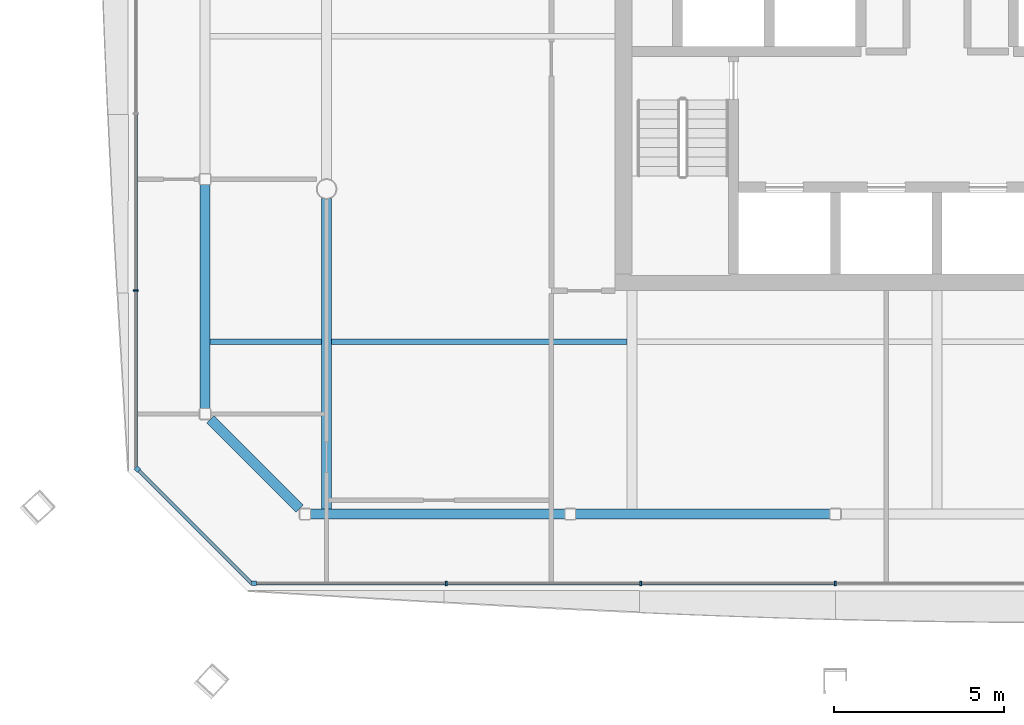
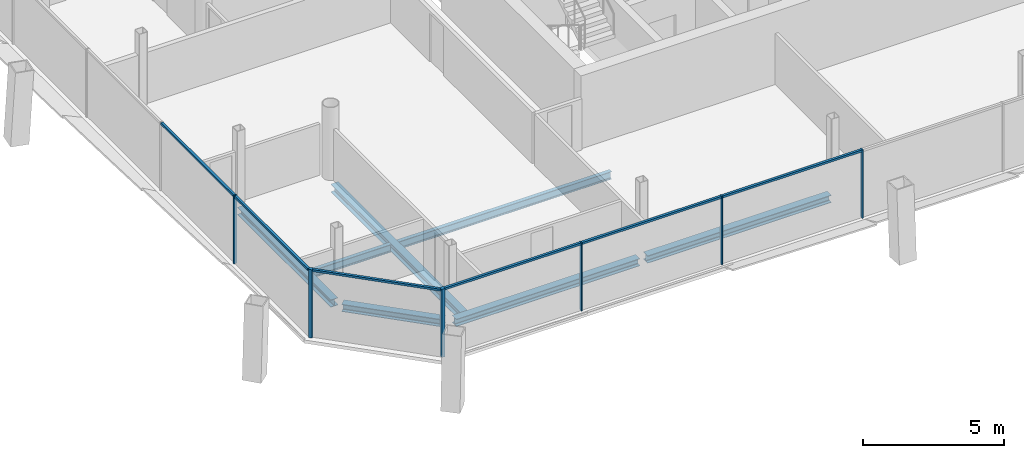
# One storey, part 4 of 20: 12 members, 7 beams, 3 elements without a shape of their own.
"""IFC4 building model written with IfcOpenShell, lengths in metres."""

from ifc_helpers import new_model, si_unit, direction, frame, origin, origin_2d, place, context, subcontext, project, spatial, rectangle, i_section, extrude, material, material_profile, profile_set, type_object, element, aggregate, save


model = new_model("IFC4")

# Units and contexts
model_context = context("Model", 3, precision=1e-05, world=origin(), true_north=direction((0.0, 1.0)))
body_context = subcontext(model_context, "Body", "Model", "MODEL_VIEW")
ifc_project = project(units=[si_unit("LENGTHUNIT", "METRE"), si_unit("AREAUNIT", "SQUARE_METRE"), si_unit("VOLUMEUNIT", "CUBIC_METRE"), si_unit("PLANEANGLEUNIT", "RADIAN"), si_unit("MASSUNIT", "GRAM", prefix="KILO")], contexts=[model_context])

# Site, building, storey
site_placement = place(None, origin())
site = spatial("IfcSite", under=ifc_project, at=site_placement, CompositionType="ELEMENT")
building_placement = place(site_placement, origin())
building = spatial("IfcBuilding", under=site, at=building_placement, Name="Tskaro Facet Tower", CompositionType="ELEMENT")
storey_placement = place(building_placement, frame((0.0, 0.0, 184.800048828125)))
storey = spatial("IfcBuildingStorey", under=building, at=storey_placement, Name="L46", CompositionType="ELEMENT", Elevation=184.800048828125)

# Curtain wall, member
ifc_material_1 = material(Name="Bronze anodised aluminium 6063-T6", Category="aluminium")
curtain_wall_type = type_object("IfcCurtainWallType", Name="Bronze residence curtain wall (FW3)", PredefinedType="NOTDEFINED", material=ifc_material_1)
curtain_wall_1_placement = place(storey_placement, origin())
curtain_wall_1 = element("IfcCurtainWall", 1, at=curtain_wall_1_placement, inside=storey, type_object=curtain_wall_type, Name="FW3 south facet L46", PredefinedType="NOTDEFINED")
ifc_material_profile_1 = material_profile(ifc_material_1, rectangle(XDim=0.139892578125, YDim=0.139892578125, at=origin_2d()), Name="Corner post 140x140")
ifc_profile_set_1 = profile_set([ifc_material_profile_1], Name="Bronze anodised aluminium 6063-T6")
member_type_1 = type_object("IfcMemberType", Name="FW3 bronze corner post 140x140", PredefinedType="MULLION", material=ifc_profile_set_1)
member_1_placement = place(storey_placement, frame((-20.138916015625, -20.6279296875, 0.0), z_axis=(0.0, 0.0, 1.0), x_axis=(1.0, 0.0, 0.0)))
member_1 = element("IfcMember", 2, at=member_1_placement, type_object=member_type_1, Name="FW3 south corner post", PredefinedType="MULLION", context=body_context, shape_type="SweptSolid", body=[
    extrude(rectangle(XDim=0.139892578125, YDim=0.139892578125, at=origin_2d()), origin(), (0.0, 0.0, 1.0), 2.949951171875),
])

curtain_wall_2_placement = place(storey_placement, origin())
curtain_wall_2 = element("IfcCurtainWall", 3, at=curtain_wall_2_placement, inside=storey, type_object=curtain_wall_type, Name="FW3 south-west facet L46", PredefinedType="NOTDEFINED")
member_2_placement = place(storey_placement, frame((-23.57861328125, -17.258544921875, 0.0), z_axis=(0.0, 0.0, 1.0), x_axis=(0.707106781187, -0.707106781187, 0.0)))
member_2 = element("IfcMember", 4, at=member_2_placement, type_object=member_type_1, Name="FW3 south-west corner post", PredefinedType="MULLION", context=body_context, shape_type="SweptSolid", body=[
    extrude(rectangle(XDim=0.139892578125, YDim=0.139892578125, at=origin_2d()), origin(), (0.0, 0.0, 1.0), 2.949951171875),
])

# Member
ifc_material_profile_2 = material_profile(ifc_material_1, rectangle(XDim=0.050048828125, YDim=0.139892578125, at=origin_2d()), Name="Mullion 50x140")
ifc_profile_set_2 = profile_set([ifc_material_profile_2], Name="Bronze anodised aluminium 6063-T6")
member_type_2 = type_object("IfcMemberType", Name="FW3 bronze mullion 50x140", PredefinedType="MULLION", material=ifc_profile_set_2)
member_3_placement = place(storey_placement, frame((-14.47265625, -20.6279296875, 0.0), z_axis=(0.0, 0.0, 1.0), x_axis=(1.0, 0.0, 0.0)))
member_3 = element("IfcMember", 5, at=member_3_placement, type_object=member_type_2, Name="FW3 south mullion 1", PredefinedType="MULLION", context=body_context, shape_type="SweptSolid", body=[
    extrude(rectangle(XDim=0.050048828125, YDim=0.139892578125, at=origin_2d()), origin(), (0.0, 0.0, 1.0), 2.949951171875),
])

member_4_placement = place(storey_placement, frame((-8.736328125, -20.6279296875, 0.0), z_axis=(0.0, 0.0, 1.0), x_axis=(1.0, 0.0, 0.0)))
member_4 = element("IfcMember", 6, at=member_4_placement, type_object=member_type_2, Name="FW3 south mullion 2", PredefinedType="MULLION", context=body_context, shape_type="SweptSolid", body=[
    extrude(rectangle(XDim=0.050048828125, YDim=0.139892578125, at=origin_2d()), origin(), (0.0, 0.0, 1.0), 2.949951171875),
])

member_5_placement = place(storey_placement, frame((-3.0, -20.6279296875, 0.0), z_axis=(0.0, 0.0, 1.0), x_axis=(1.0, 0.0, 0.0)))
member_5 = element("IfcMember", 7, at=member_5_placement, type_object=member_type_2, Name="FW3 south mullion 3", PredefinedType="MULLION", context=body_context, shape_type="SweptSolid", body=[
    extrude(rectangle(XDim=0.050048828125, YDim=0.139892578125, at=origin_2d()), origin(), (0.0, 0.0, 1.0), 2.949951171875),
])

# Curtain wall, member
curtain_wall_3_placement = place(storey_placement, origin())
curtain_wall_3 = element("IfcCurtainWall", 8, at=curtain_wall_3_placement, inside=storey, type_object=curtain_wall_type, Name="FW3 west facet L46", PredefinedType="NOTDEFINED")
member_6_placement = place(storey_placement, frame((-23.6279296875, -11.99072265625, 0.0), z_axis=(0.0, 0.0, 1.0), x_axis=(0.0, -1.0, 0.0)))
member_6 = element("IfcMember", 9, at=member_6_placement, type_object=member_type_2, Name="FW3 west mullion 5", PredefinedType="MULLION", context=body_context, shape_type="SweptSolid", body=[
    extrude(rectangle(XDim=0.050048828125, YDim=0.139892578125, at=origin_2d()), origin(), (0.0, 0.0, 1.0), 2.949951171875),
])

# Member
ifc_material_profile_3 = material_profile(ifc_material_1, rectangle(XDim=0.10009765625, YDim=0.090087890625, at=origin_2d()), Name="Transom 100x90")
ifc_profile_set_3 = profile_set([ifc_material_profile_3], Name="Bronze anodised aluminium 6063-T6")
member_type_3 = type_object("IfcMemberType", Name="FW3 bronze transom 100x90", PredefinedType="USERDEFINED", material=ifc_profile_set_3)
member_7_placement = place(storey_placement, frame((-20.069091796875, -20.6279296875, 2.905029296875), z_axis=(1.0, 0.0, 0.0), x_axis=(0.0, 1.0, 0.0)))
member_7 = element("IfcMember", 10, at=member_7_placement, type_object=member_type_3, Name="FW3 south transom 1.1", ObjectType="TRANSOM", PredefinedType="USERDEFINED", context=body_context, shape_type="SweptSolid", body=[
    extrude(rectangle(XDim=0.10009765625, YDim=0.090087890625, at=origin_2d()), origin(), (0.0, 0.0, 1.0), 5.571533203125),
])

member_8_placement = place(storey_placement, frame((-14.44775390625, -20.6279296875, 2.905029296875), z_axis=(1.0, 0.0, 0.0), x_axis=(0.0, 1.0, 0.0)))
member_8 = element("IfcMember", 11, at=member_8_placement, type_object=member_type_3, Name="FW3 south transom 2.1", ObjectType="TRANSOM", PredefinedType="USERDEFINED", context=body_context, shape_type="SweptSolid", body=[
    extrude(rectangle(XDim=0.10009765625, YDim=0.090087890625, at=origin_2d()), origin(), (0.0, 0.0, 1.0), 5.6865234375),
])

member_9_placement = place(storey_placement, frame((-8.71142578125, -20.6279296875, 2.905029296875), z_axis=(1.0, 0.0, 0.0), x_axis=(0.0, 1.0, 0.0)))
member_9 = element("IfcMember", 12, at=member_9_placement, type_object=member_type_3, Name="FW3 south transom 3.1", ObjectType="TRANSOM", PredefinedType="USERDEFINED", context=body_context, shape_type="SweptSolid", body=[
    extrude(rectangle(XDim=0.10009765625, YDim=0.090087890625, at=origin_2d()), origin(), (0.0, 0.0, 1.0), 5.6865234375),
])

aggregate(curtain_wall_1, [member_1, member_3, member_4, member_5, member_7, member_8, member_9])

member_10_placement = place(storey_placement, frame((-23.6279296875, -6.797607421875, 2.905029296875), z_axis=(0.0, -1.0, 0.0), x_axis=(1.0, 0.0, 0.0)))
member_10 = element("IfcMember", 13, at=member_10_placement, type_object=member_type_3, Name="FW3 west transom 5.1", ObjectType="TRANSOM", PredefinedType="USERDEFINED", context=body_context, shape_type="SweptSolid", body=[
    extrude(rectangle(XDim=0.10009765625, YDim=0.090087890625, at=origin_2d()), origin(), (0.0, 0.0, 1.0), 5.168212890625),
])

member_11_placement = place(storey_placement, frame((-23.6279296875, -12.015869140625, 2.905029296875), z_axis=(0.0, -1.0, 0.0), x_axis=(1.0, 0.0, 0.0)))
member_11 = element("IfcMember", 14, at=member_11_placement, type_object=member_type_3, Name="FW3 west transom 6.1", ObjectType="TRANSOM", PredefinedType="USERDEFINED", context=body_context, shape_type="SweptSolid", body=[
    extrude(rectangle(XDim=0.10009765625, YDim=0.090087890625, at=origin_2d()), origin(), (0.0, 0.0, 1.0), 5.193115234375),
])

aggregate(curtain_wall_3, [member_6, member_10, member_11])

member_12_placement = place(storey_placement, frame((-23.529052734375, -17.30810546875, 2.905029296875), z_axis=(0.707132780149, -0.707080781268, 0.0), x_axis=(0.707080781268, 0.707132780149, 0.0)))
member_12 = element("IfcMember", 15, at=member_12_placement, type_object=member_type_3, Name="FW3 south-west transom 1.1", ObjectType="TRANSOM", PredefinedType="USERDEFINED", context=body_context, shape_type="SweptSolid", body=[
    extrude(rectangle(XDim=0.10009765625, YDim=0.090087890625, at=origin_2d()), origin(), (0.0, 0.0, 1.0), 4.695068359375),
])

aggregate(curtain_wall_2, [member_2, member_12])

# Beams
ifc_material_2 = material(Name="Steel S355J2", Category="steel")
ifc_material_profile_4 = material_profile(ifc_material_2, i_section(OverallWidth=0.300048828125, OverallDepth=0.320068359375, WebThickness=0.011474609375, FlangeThickness=0.0205078125, FilletRadius=0.027099609375, at=origin_2d()), Name="HE 320 B")
ifc_profile_set_4 = profile_set([ifc_material_profile_4], Name="Steel S355J2")
beam_type_1 = type_object("IfcBeamType", Name="HE 320 B ring beam", PredefinedType="BEAM", material=ifc_profile_set_4)
beam_1_placement = place(storey_placement, frame((-18.47802734375, -18.5830078125, -0.300048828125), z_axis=(1.0, 0.0, 0.0), x_axis=(0.0, 1.0, 0.0)))
element("IfcBeam", 16, at=beam_1_placement, inside=storey, type_object=beam_type_1, Name="HE 320 B EB1-4", PredefinedType="BEAM", context=body_context, shape_type="SweptSolid", body=[
    extrude(i_section(OverallWidth=0.300048828125, OverallDepth=0.320068359375, WebThickness=0.011474609375, FlangeThickness=0.0205078125, FilletRadius=0.027099609375, at=origin_2d()), origin(), (0.0, 0.0, 1.0), 7.507080078125),
])
beam_2_placement = place(storey_placement, frame((-10.660888671875, -18.5830078125, -0.300048828125), z_axis=(1.0, 0.0, 0.0), x_axis=(0.0, 1.0, 0.0)))
element("IfcBeam", 17, at=beam_2_placement, inside=storey, type_object=beam_type_1, Name="HE 320 B EB2-4", PredefinedType="BEAM", context=body_context, shape_type="SweptSolid", body=[
    extrude(i_section(OverallWidth=0.300048828125, OverallDepth=0.320068359375, WebThickness=0.011474609375, FlangeThickness=0.0205078125, FilletRadius=0.027099609375, at=origin_2d()), origin(), (0.0, 0.0, 1.0), 7.505859375),
])
beam_3_placement = place(storey_placement, frame((-21.5830078125, -8.867919921875, -0.300048828125), z_axis=(0.0, -1.0, 0.0), x_axis=(1.0, 0.0, 0.0)))
element("IfcBeam", 18, at=beam_3_placement, inside=storey, type_object=beam_type_1, Name="HE 320 B EB20-4", PredefinedType="BEAM", context=body_context, shape_type="SweptSolid", body=[
    extrude(i_section(OverallWidth=0.300048828125, OverallDepth=0.320068359375, WebThickness=0.011474609375, FlangeThickness=0.0205078125, FilletRadius=0.027099609375, at=origin_2d()), origin(), (0.0, 0.0, 1.0), 6.610107421875),
])
beam_4_placement = place(storey_placement, frame((-21.422119140625, -15.7939453125, -0.300048828125), z_axis=(0.707106781187, -0.707106781187, 0.0), x_axis=(0.707106781187, 0.707106781187, 0.0)))
element("IfcBeam", 19, at=beam_4_placement, inside=storey, type_object=beam_type_1, Name="HE 320 B EB21-4", PredefinedType="BEAM", context=body_context, shape_type="SweptSolid", body=[
    extrude(i_section(OverallWidth=0.300048828125, OverallDepth=0.320068359375, WebThickness=0.011474609375, FlangeThickness=0.0205078125, FilletRadius=0.027099609375, at=origin_2d()), origin(), (0.0, 0.0, 1.0), 3.716796875),
])
ifc_material_profile_5 = material_profile(ifc_material_2, i_section(OverallWidth=0.300048828125, OverallDepth=0.35009765625, WebThickness=0.010009765625, FlangeThickness=0.017578125, FilletRadius=0.027099609375, at=origin_2d()), Name="HE 360 A")
ifc_profile_set_5 = profile_set([ifc_material_profile_5], Name="Steel S355J2")
beam_type_2 = type_object("IfcBeamType", Name="HE 360 A girder", PredefinedType="BEAM", material=ifc_profile_set_5)
beam_5_placement = place(storey_placement, frame((-18.0, -18.43310546875, -0.31494140625), z_axis=(0.0, 1.0, 0.0), x_axis=(-1.0, 0.0, 0.0)))
element("IfcBeam", 20, at=beam_5_placement, inside=storey, type_object=beam_type_2, Name="HE 360 A GB2-1-4", PredefinedType="BEAM", context=body_context, shape_type="SweptSolid", body=[
    extrude(i_section(OverallWidth=0.300048828125, OverallDepth=0.35009765625, WebThickness=0.010009765625, FlangeThickness=0.017578125, FilletRadius=0.027099609375, at=origin_2d()), origin(), (0.0, 0.0, 1.0), 9.158203125),
])
ifc_material_profile_6 = material_profile(ifc_material_2, i_section(OverallWidth=0.159912109375, OverallDepth=0.330078125, WebThickness=0.007568359375, FlangeThickness=0.011474609375, FilletRadius=0.01806640625, at=origin_2d()), Name="IPE 330")
ifc_profile_set_6 = profile_set([ifc_material_profile_6], Name="Steel S355J2")
beam_type_3 = type_object("IfcBeamType", Name="IPE 330 secondary beam", PredefinedType="BEAM", material=ifc_profile_set_6)
beam_6_placement = place(storey_placement, frame((-21.43310546875, -13.5, -0.304931640625), z_axis=(1.0, 0.0, 0.0), x_axis=(0.0, 1.0, 0.0)))
element("IfcBeam", 21, at=beam_6_placement, inside=storey, type_object=beam_type_3, Name="IPE 330 SB2a-1-4", PredefinedType="BEAM", context=body_context, shape_type="SweptSolid", body=[
    extrude(i_section(OverallWidth=0.159912109375, OverallDepth=0.330078125, WebThickness=0.007568359375, FlangeThickness=0.011474609375, FilletRadius=0.01806640625, at=origin_2d()), origin(), (0.0, 0.0, 1.0), 3.283203125),
])
beam_7_placement = place(storey_placement, frame((-17.85009765625, -13.5, -0.304931640625), z_axis=(1.0, 0.0, 0.0), x_axis=(0.0, 1.0, 0.0)))
element("IfcBeam", 22, at=beam_7_placement, inside=storey, type_object=beam_type_3, Name="IPE 330 SB2a-2-4", PredefinedType="BEAM", context=body_context, shape_type="SweptSolid", body=[
    extrude(i_section(OverallWidth=0.159912109375, OverallDepth=0.330078125, WebThickness=0.007568359375, FlangeThickness=0.011474609375, FilletRadius=0.01806640625, at=origin_2d()), origin(), (0.0, 0.0, 1.0), 8.7001953125),
])

save(model, "model.ifc")
